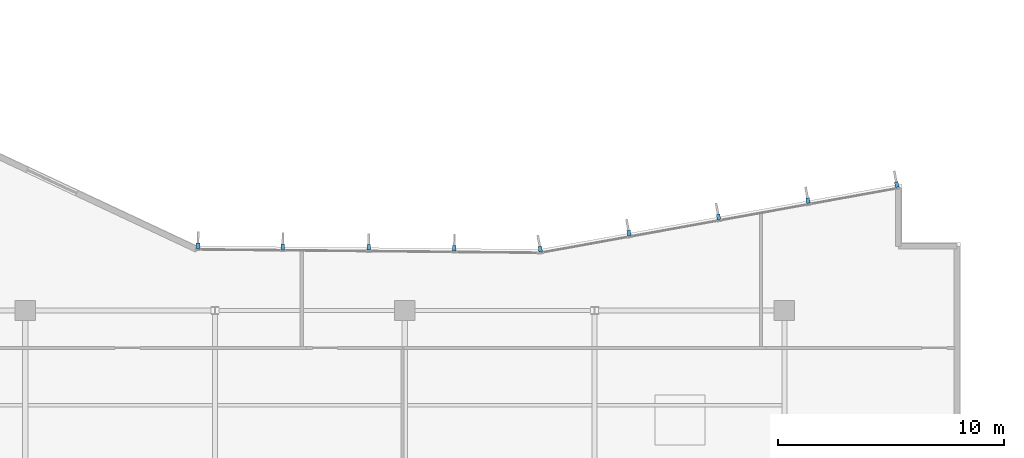
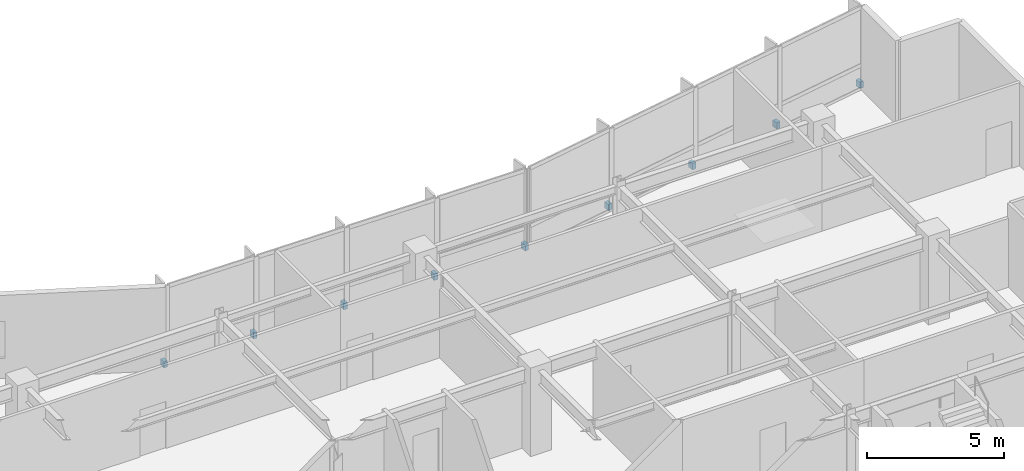
# One storey, part 13 of 18: 9 discrete accessories.
"""IFC4 building model written with IfcOpenShell, lengths in metres."""

from ifc_helpers import new_model, si_unit, direction, frame, origin, origin_2d, place, context, subcontext, project, spatial, rectangle, extrude, material, type_object, element, save


model = new_model("IFC4")

# Units and contexts
model_context = context("Model", 3, precision=1e-05, world=origin(), true_north=direction((0.0, 1.0)))
body_context = subcontext(model_context, "Body", "Model", "MODEL_VIEW")
ifc_project = project(units=[si_unit("LENGTHUNIT", "METRE"), si_unit("AREAUNIT", "SQUARE_METRE"), si_unit("VOLUMEUNIT", "CUBIC_METRE"), si_unit("PLANEANGLEUNIT", "RADIAN"), si_unit("MASSUNIT", "GRAM", prefix="KILO")], contexts=[model_context])

# Site, building, storey
site_placement = place(None, origin())
site = spatial("IfcSite", under=ifc_project, at=site_placement, CompositionType="ELEMENT")
building_placement = place(site_placement, origin())
building = spatial("IfcBuilding", under=site, at=building_placement, Name="Varnakote Quay Hospital", CompositionType="ELEMENT")
storey_placement = place(building_placement, frame((0.0, 0.0, 30.39990234375)))
storey = spatial("IfcBuildingStorey", under=building, at=storey_placement, Name="L07", CompositionType="ELEMENT", Elevation=30.39990234375)

# Discrete accessories
ifc_material = material(Name="Anodised aluminium 6063-T6 Bronze", Category="aluminium")
discrete_accessory_type = type_object("IfcDiscreteAccessoryType", Name="ACC-FIN-BRACKET-180", PredefinedType="BRACKET", material=ifc_material)
for number, where, z_axis, x_axis, name in (
    (1, (55.372802734375, 34.369140625, 0.0), (0.0, 0.0, 1.0), (-0.984071739666, -0.177771795263, 0.0), "L07 Curtain Wall Fin Fixing Bracket"),
    (2, (51.447265625, 33.65966796875, 0.0), (0.0, 0.0, 1.0), (-0.984071739666, -0.177771795263, 0.0), "L07 Curtain Wall Fin Fixing Bracket"),
    (3, (47.484619140625, 32.943603515625, 0.0), (0.0, 0.0, 1.0), (-0.984071739666, -0.177771795263, 0.0), "L07 Curtain Wall Fin Fixing Bracket"),
    (4, (43.52197265625, 32.227294921875, 0.0), (0.0, 0.0, 1.0), (-0.984071739666, -0.177771795263, 0.0), "L07 Curtain Wall Fin Fixing Bracket"),
    (5, (39.59619140625, 31.517822265625, 0.0), (0.0, 0.0, 1.0), (-0.984071739666, -0.177771795263, 0.0), "L07 Curtain Wall Fin Fixing Bracket"),
    (6, (35.7958984375, 31.551025390625, 0.0), (0.0, 0.0, 1.0), (-0.999952236369, 0.009773688199, 0.0), "L07 Curtain Wall Fin Fixing Bracket"),
    (7, (32.000244140625, 31.588134765625, 0.0), (0.0, 0.0, 1.0), (-0.999952236369, 0.009773688199, 0.0), "L07 Curtain Wall Fin Fixing Bracket"),
    (8, (28.204833984375, 31.625244140625, 0.0), (0.0, 0.0, 1.0), (-0.999952236369, 0.009773688199, 0.0), "L07 Curtain Wall Fin Fixing Bracket"),
    (9, (24.44677734375, 31.661865234375, 0.0), (0.0, 0.0, 1.0), (-0.999952236369, 0.009773688199, 0.0), "L07 Curtain Wall Fin Fixing Bracket"),
):
    element("IfcDiscreteAccessory", number, at=place(storey_placement, frame(where, z_axis=z_axis, x_axis=x_axis)), inside=storey, type_object=discrete_accessory_type, Name=name, PredefinedType="BRACKET", context=body_context, shape_type="SweptSolid", body=[
        extrude(rectangle(XDim=0.159912109375, YDim=0.239990234375, at=origin_2d()), origin(), (0.0, 0.0, 1.0), 0.280029296875),
    ])

save(model, "model.ifc")
